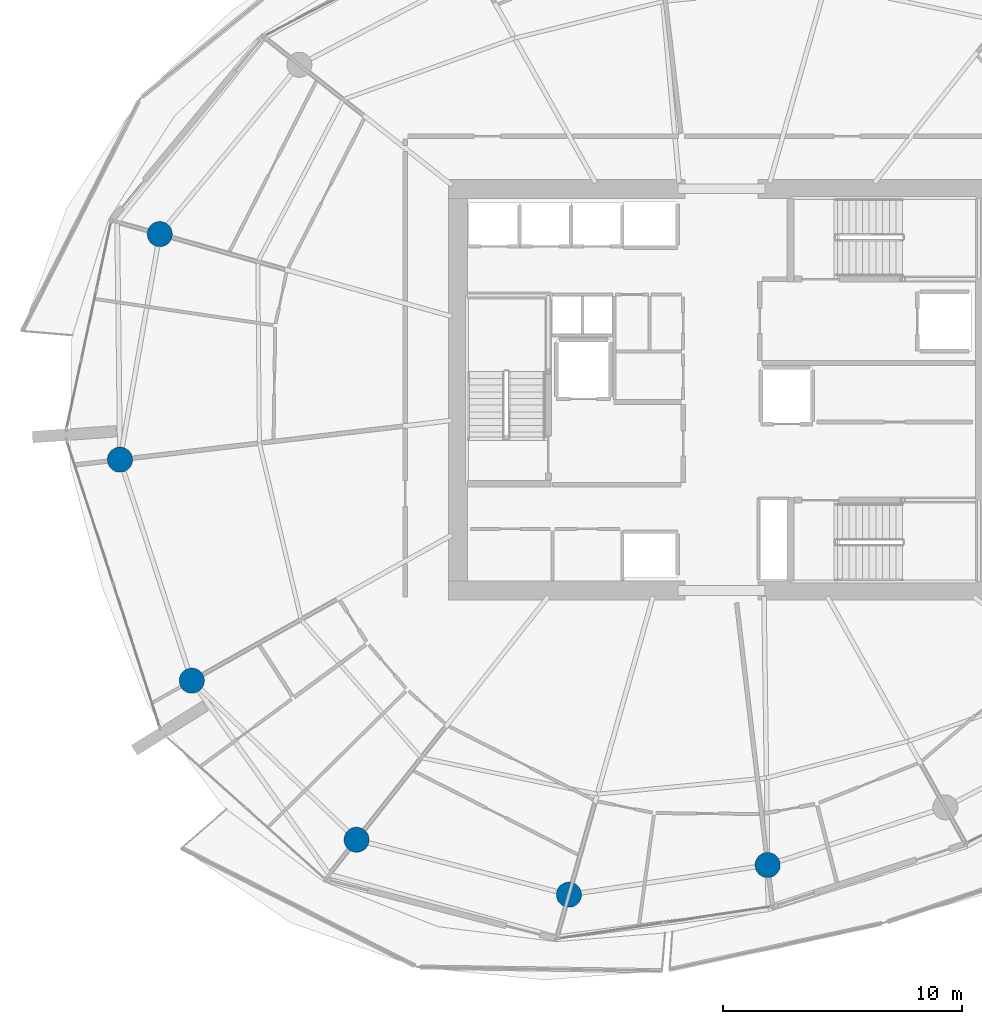
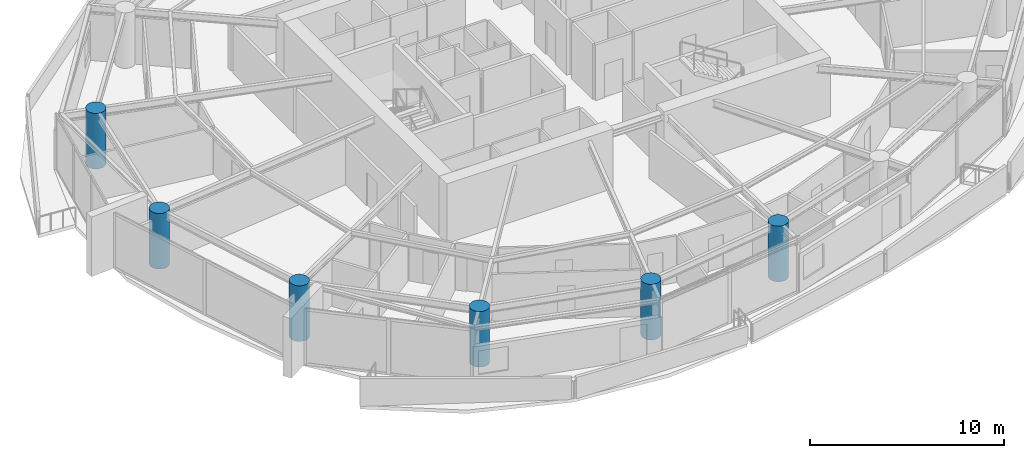
# One storey, part 1 of 20: 6 columns.
"""IFC4 building model written with IfcOpenShell, lengths in metres."""

from ifc_helpers import new_model, si_unit, direction, frame, origin, origin_2d, place, context, subcontext, project, spatial, circle, extrude, material, material_profile, profile_set, type_object, element, save


model = new_model("IFC4")

# Units and contexts
model_context = context("Model", 3, precision=1e-05, world=origin(), true_north=direction((0.0, 1.0)))
body_context = subcontext(model_context, "Body", "Model", "MODEL_VIEW")
ifc_project = project(units=[si_unit("LENGTHUNIT", "METRE"), si_unit("AREAUNIT", "SQUARE_METRE"), si_unit("VOLUMEUNIT", "CUBIC_METRE"), si_unit("PLANEANGLEUNIT", "RADIAN"), si_unit("MASSUNIT", "GRAM", prefix="KILO")], contexts=[model_context])

# Site, building, storey
site_placement = place(None, origin())
site = spatial("IfcSite", under=ifc_project, at=site_placement, CompositionType="ELEMENT")
building_placement = place(site_placement, origin())
building = spatial("IfcBuilding", under=site, at=building_placement, Name="Kazma Halo Residences", CompositionType="ELEMENT")
storey_placement = place(building_placement, frame((0.0, 0.0, 157.800048828125)))
storey = spatial("IfcBuildingStorey", under=building, at=storey_placement, Name="L39", CompositionType="ELEMENT", Elevation=157.800048828125)

# Columns
ifc_material = material(Name="Concrete C80/95", Category="concrete")
ifc_material_profile = material_profile(ifc_material, circle(Radius=0.52490234375, at=origin_2d()), Name="CIRC1050")
ifc_profile_set = profile_set([ifc_material_profile], Name="Concrete C80/95")
column_type = type_object("IfcColumnType", Name="COL-PERIM-1050", PredefinedType="COLUMN", material=ifc_profile_set)
for number, where, z_axis, x_axis, name in (
    (1, (24.93017578125, 48.50634765625, 0.0), (0.0, 0.0, 1.0), (1.0, 0.0, 0.0), "L39 perimeter ring column P07"),
    (2, (23.266845703125, 39.072509765625, 0.0), (0.0, 0.0, 1.0), (1.0, 0.0, 0.0), "L39 perimeter ring column P08"),
    (3, (26.269775390625, 29.83056640625, 0.0), (0.0, 0.0, 1.0), (1.0, 0.0, 0.0), "L39 perimeter ring column P09"),
    (4, (33.160400390625, 23.17626953125, 0.0), (0.0, 0.0, 1.0), (1.0, 0.0, 0.0), "L39 perimeter ring column P10"),
    (5, (42.04296875, 20.878173828125, 0.0), (0.0, 0.0, 1.0), (1.0, 0.0, 0.0), "L39 perimeter ring column P11"),
    (6, (50.35302734375, 22.118896484375, 0.0), (0.0, 0.0, 1.0), (1.0, 0.0, 0.0), "L39 perimeter ring column P12"),
):
    element("IfcColumn", number, at=place(storey_placement, frame(where, z_axis=z_axis, x_axis=x_axis)), inside=storey, type_object=column_type, Name=name, PredefinedType="COLUMN", context=body_context, shape_type="SweptSolid", body=[
        extrude(circle(Radius=0.52490234375, at=origin_2d()), origin(), (0.0, 0.0, 1.0), 3.5),
    ])

save(model, "model.ifc")
